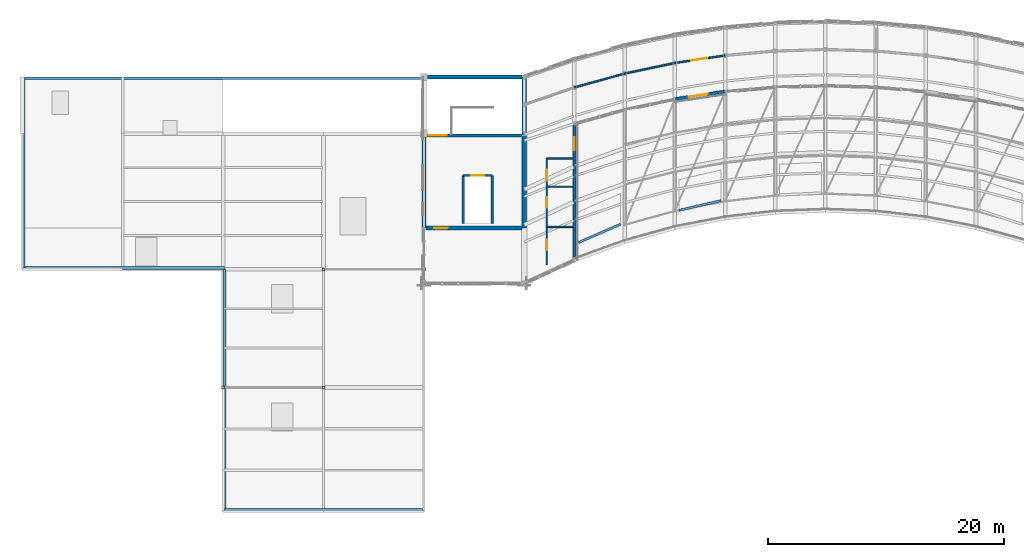
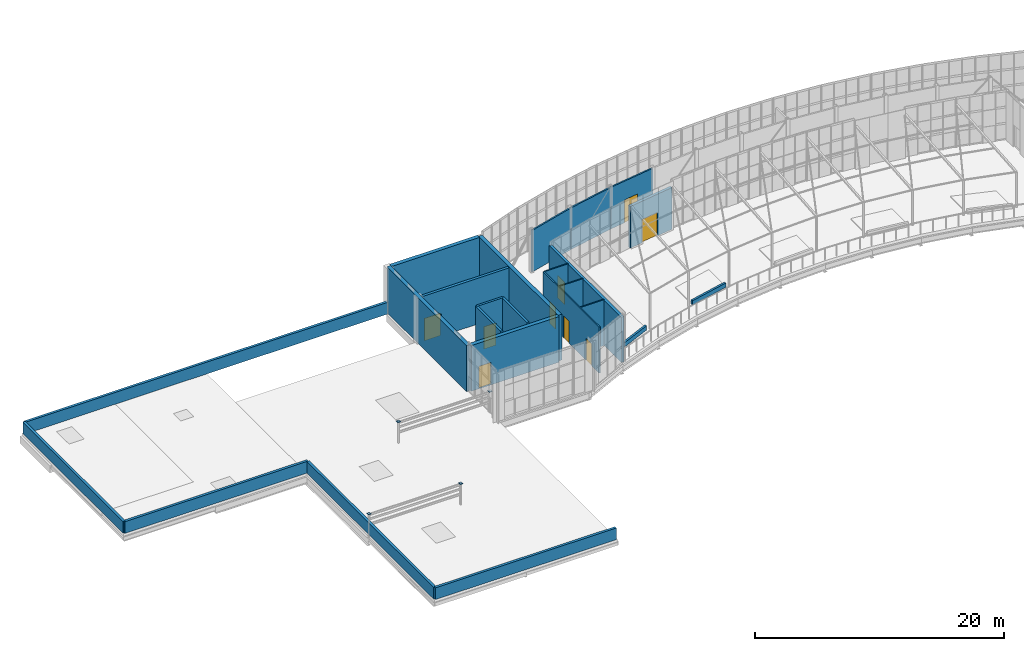
# One storey, part 31 of 35: 24 walls, 9 doors, 4 plates, 9 openings.
"""IFC4 building model written with IfcOpenShell, lengths in metres."""

from ifc_helpers import new_model, si_unit, direction, frame, frame_2d, origin, origin_2d, place, context, subcontext, project, spatial, rectangle, extrude, material, layer, layer_set, type_object, element, fill, save


model = new_model("IFC4")

# Units and contexts
model_context = context("Model", 3, precision=1e-05, world=origin(), true_north=direction((0.0, 1.0)))
body_context = subcontext(model_context, "Body", "Model", "MODEL_VIEW")
ifc_project = project(units=[si_unit("LENGTHUNIT", "METRE"), si_unit("AREAUNIT", "SQUARE_METRE"), si_unit("VOLUMEUNIT", "CUBIC_METRE"), si_unit("PLANEANGLEUNIT", "RADIAN"), si_unit("MASSUNIT", "GRAM", prefix="KILO")], contexts=[model_context])

# Site, building, storey
site_placement = place(None, origin())
site = spatial("IfcSite", under=ifc_project, at=site_placement, CompositionType="ELEMENT")
building_placement = place(site_placement, origin())
building = spatial("IfcBuilding", under=site, at=building_placement, Name="Solvikara Media Centre", CompositionType="ELEMENT")
storey_placement = place(building_placement, frame((0.0, 0.0, 29.39990234375)))
storey = spatial("IfcBuildingStorey", under=building, at=storey_placement, Name="L06", CompositionType="ELEMENT", Elevation=29.39990234375)

# Plates
ifc_material_1 = material(Name="Steel S355JR", Category="steel")
ifc_layer_1 = layer(ifc_material_1, 0.01806640625)
ifc_layer_set_1 = layer_set([ifc_layer_1], Name="Steel S355JR")
plate_type = type_object("IfcPlateType", Name="PL-09", PredefinedType="USERDEFINED", material=ifc_layer_set_1)
for number, where, z_axis, x_axis, name in (
    (1, (51.0, 10.5, 2.10009765625), (0.0, 0.0, 1.0), (1.0, 0.0, 0.0), "CAP-PS-A3"),
    (2, (59.5, 10.5, 2.10009765625), (0.0, 0.0, 1.0), (1.0, 0.0, 0.0), "CAP-PS-B3"),
    (3, (59.5, 20.5, 2.10009765625), (0.0, 0.0, 1.0), (1.0, 0.0, 0.0), "CAP-PS-A4"),
    (4, (68.0, 20.5, 2.10009765625), (0.0, 0.0, 1.0), (1.0, 0.0, 0.0), "CAP-PS-B4"),
):
    element("IfcPlate", number, at=place(storey_placement, frame(where, z_axis=z_axis, x_axis=x_axis)), inside=storey, type_object=plate_type, Name=name, ObjectType="BASE PLATE", PredefinedType="USERDEFINED", context=body_context, shape_type="SweptSolid", body=[
        extrude(rectangle(XDim=0.260009765625, YDim=0.260009765625, at=origin_2d()), origin(), (0.0, 0.0, 1.0), 0.01806640625),
    ])

# Walls
ifc_material_2 = material(Name="Concrete fc' 45 MPa (C45/55)", Category="concrete")
ifc_layer_2 = layer(ifc_material_2, 0.35009765625)
ifc_layer_set_2 = layer_set([ifc_layer_2], Name="Concrete fc' 45 MPa (C45/55)")
wall_type_1 = type_object("IfcWallType", Name="WT-03", PredefinedType="SHEAR", material=ifc_layer_set_2)
for number, where, z_axis, x_axis, name in (
    (5, (68.0, 24.0, 0.0), (0.0, 0.0, 1.0), (0.0, 1.0, 0.0), "CW-C3-L06-W"),
    (6, (76.5, 24.0, 0.0), (0.0, 0.0, 1.0), (0.0, 1.0, 0.0), "CW-C3-L06-E"),
):
    element("IfcWall", number, at=place(storey_placement, frame(where, z_axis=z_axis, x_axis=x_axis)), inside=storey, type_object=wall_type_1, Name=name, PredefinedType="SHEAR", context=body_context, shape_type="SweptSolid", body=[
        extrude(rectangle(XDim=12.800048828125, YDim=0.35009765625, at=frame_2d((6.39990234375, 0.0))), origin(), (0.0, 0.0, 1.0), 4.489990234375),
    ])
wall_1_placement = place(storey_placement, frame((68.175048828125, 36.800048828125, 0.0), z_axis=(0.0, 0.0, 1.0), x_axis=(1.0, 0.0, 0.0)))
element("IfcWall", 7, at=wall_1_placement, inside=storey, type_object=wall_type_1, Name="CW-C3-L06-N", PredefinedType="SHEAR", context=body_context, shape_type="SweptSolid", body=[
    extrude(rectangle(XDim=8.14990234375, YDim=0.35009765625, at=frame_2d((4.074951171875, 0.0))), origin(), (0.0, 0.0, 1.0), 4.489990234375),
])

# Wall, opening, door
wall_2_placement = place(storey_placement, frame((68.175048828125, 24.0, 0.0), z_axis=(0.0, 0.0, 1.0), x_axis=(1.0, 0.0, 0.0)))
wall_2 = element("IfcWall", 8, at=wall_2_placement, inside=storey, type_object=wall_type_1, Name="CW-C3-L06-S", PredefinedType="SHEAR", context=body_context, shape_type="SweptSolid", body=[
    extrude(rectangle(XDim=8.14990234375, YDim=0.35009765625, at=frame_2d((4.074951171875, 0.0))), origin(), (0.0, 0.0, 1.0), 4.489990234375),
])
opening_1_placement = place(wall_2_placement, frame((0.699951171875, 0.0, 0.0)))
opening_1 = element("IfcOpeningElement", 9, at=opening_1_placement, cuts=wall_2, Name="Opening D-C3-L06-LOB", PredefinedType="OPENING", context=body_context, shape_type="SweptSolid", body=[
    extrude(rectangle(XDim=1.14990234375, YDim=2.199951171875, at=frame_2d((0.574951171875, 1.10009765625))), frame((0.0, 0.18701171875, 0.0), z_axis=(0.0, -1.0, 0.0), x_axis=(1.0, 0.0, 0.0)), (0.0, 0.0, 1.0), 0.3740234375),
])
ifc_material_3 = material(Name="Insulated fire-rated steel door leaf", Category="steel")
door_type_1 = type_object("IfcDoorType", Name="DT-09", OperationType="NOTDEFINED", PredefinedType="DOOR", material=ifc_material_3)
door_1_placement = place(opening_1_placement, frame((1.14990234375, 0.0, 0.0), z_axis=(0.0, 0.0, 1.0), x_axis=(-1.0, 0.0, 0.0)))
door_1 = element("IfcDoor", 10, at=door_1_placement, inside=storey, type_object=door_type_1, Name="D-C3-L06-LOB", OperationType="SINGLE_SWING_RIGHT", OverallHeight=2.199951171875, OverallWidth=1.14990234375, PredefinedType="DOOR", context=body_context, shape_type="SweptSolid", body=[
    extrude(rectangle(XDim=1.14990234375, YDim=2.199951171875, at=frame_2d((0.574951171875, 1.10009765625))), frame((0.0, 0.02490234375, 0.0), z_axis=(0.0, -1.0, 0.0), x_axis=(1.0, 0.0, 0.0)), (0.0, 0.0, 1.0), 0.050048828125),
])
fill(opening_1, door_1)

ifc_layer_3 = layer(ifc_material_2, 0.25)
ifc_layer_set_3 = layer_set([ifc_layer_3], Name="Concrete fc' 45 MPa (C45/55)")
wall_type_2 = type_object("IfcWallType", Name="WT-07", PredefinedType="STANDARD", material=ifc_layer_set_3)
wall_3_placement = place(storey_placement, frame((68.25, 31.85009765625, 0.0), z_axis=(0.0, 0.0, 1.0), x_axis=(1.0, 0.0, 0.0)))
wall_3 = element("IfcWall", 11, at=wall_3_placement, inside=storey, type_object=wall_type_2, Name="CW-C3-L06-SD", PredefinedType="STANDARD", context=body_context, shape_type="SweptSolid", body=[
    extrude(rectangle(XDim=8.0, YDim=0.25, at=frame_2d((4.0, 0.0))), origin(), (0.0, 0.0, 1.0), 4.489990234375),
])
opening_2_placement = place(wall_3_placement, frame((0.199951171875, 0.0, 0.0)))
opening_2 = element("IfcOpeningElement", 12, at=opening_2_placement, cuts=wall_3, Name="Opening D-C3-L06-ST", PredefinedType="OPENING", context=body_context, shape_type="SweptSolid", body=[
    extrude(rectangle(XDim=1.5, YDim=2.199951171875, at=frame_2d((0.75, 1.10009765625))), frame((0.0, 0.136962890625, 0.0), z_axis=(0.0, -1.0, 0.0), x_axis=(1.0, 0.0, 0.0)), (0.0, 0.0, 1.0), 0.27392578125),
])
door_type_2 = type_object("IfcDoorType", Name="DT-08", OperationType="DOUBLE_DOOR_SINGLE_SWING", PredefinedType="DOOR", material=ifc_material_3)
door_2_placement = place(opening_2_placement, frame((1.5, 0.0, 0.0), z_axis=(0.0, 0.0, 1.0), x_axis=(-1.0, 0.0, 0.0)))
door_2 = element("IfcDoor", 13, at=door_2_placement, inside=storey, type_object=door_type_2, Name="D-C3-L06-ST", OperationType="DOUBLE_DOOR_SINGLE_SWING", OverallHeight=2.199951171875, OverallWidth=1.5, PredefinedType="DOOR", context=body_context, shape_type="SweptSolid", body=[
    extrude(rectangle(XDim=1.5, YDim=2.199951171875, at=frame_2d((0.75, 1.10009765625))), frame((0.0, 0.02490234375, 0.0), z_axis=(0.0, -1.0, 0.0), x_axis=(1.0, 0.0, 0.0)), (0.0, 0.0, 1.0), 0.050048828125),
])
fill(opening_2, door_2)

ifc_material_4 = material(Name="Precast concrete fc' 40 MPa (C40/50)", Category="concrete")
ifc_layer_4 = layer(ifc_material_4, 0.260009765625)
ifc_layer_set_4 = layer_set([ifc_layer_4], Name="Precast concrete fc' 40 MPa (C40/50)")
wall_type_3 = type_object("IfcWallType", Name="WT-12", PredefinedType="STANDARD", material=ifc_layer_set_4)
wall_4_placement = place(storey_placement, frame((89.25, 34.928955078125, 0.0), z_axis=(0.0, 0.0, 1.0), x_axis=(0.989021203369, 0.147773675894, 0.0)))
wall_4 = element("IfcWall", 14, at=wall_4_placement, inside=storey, type_object=wall_type_3, Name="EW-L06-GAL-S03", PredefinedType="STANDARD", context=body_context, shape_type="SweptSolid", body=[
    extrude(rectangle(XDim=4.297119140625, YDim=0.260009765625, at=frame_2d((2.1484375, 0.0))), origin(), (0.0, 0.0, 1.0), 4.08203125),
])
opening_3_placement = place(wall_4_placement, frame((1.199951171875, 0.0, 0.0)))
opening_3 = element("IfcOpeningElement", 15, at=opening_3_placement, cuts=wall_4, Name="Opening TD-L06-TER-03", PredefinedType="OPENING", context=body_context, shape_type="SweptSolid", body=[
    extrude(rectangle(XDim=1.60009765625, YDim=2.300048828125, at=frame_2d((0.800048828125, 1.14990234375))), frame((0.0, 0.14208984375, 0.0), z_axis=(0.0, -1.0, 0.0), x_axis=(1.0, 0.0, 0.0)), (0.0, 0.0, 1.0), 0.283935546875),
])
ifc_material_5 = material(Name="Anodised aluminium EN AW-6063", Category="aluminium")
door_type_3 = type_object("IfcDoorType", Name="DT-04", OperationType="DOUBLE_DOOR_SINGLE_SWING", PredefinedType="DOOR", material=ifc_material_5)
door_3_placement = place(opening_3_placement, frame((1.60009765625, 0.0, 0.0), z_axis=(0.0, 0.0, 1.0), x_axis=(-1.0, 0.0, 0.0)))
door_3 = element("IfcDoor", 16, at=door_3_placement, inside=storey, type_object=door_type_3, Name="TD-L06-TER-03", OperationType="DOUBLE_DOOR_SINGLE_SWING", OverallHeight=2.300048828125, OverallWidth=1.60009765625, PredefinedType="DOOR", context=body_context, shape_type="SweptSolid", body=[
    extrude(rectangle(XDim=1.60009765625, YDim=2.300048828125, at=frame_2d((0.800048828125, 1.14990234375))), frame((0.0, 0.02490234375, 0.0), z_axis=(0.0, -1.0, 0.0), x_axis=(1.0, 0.0, 0.0)), (0.0, 0.0, 1.0), 0.050048828125),
])
fill(opening_3, door_3)

wall_5_placement = place(storey_placement, frame((80.75, 21.279052734375, 0.0), z_axis=(0.0, 0.0, 1.0), x_axis=(0.0, 1.0, 0.0)))
wall_5 = element("IfcWall", 17, at=wall_5_placement, inside=storey, type_object=wall_type_3, Name="EW-L06-PAVW-E", PredefinedType="STANDARD", context=body_context, shape_type="SweptSolid", body=[
    extrude(rectangle(XDim=11.5810546875, YDim=0.260009765625, at=frame_2d((5.79052734375, 0.0))), origin(), (0.0, 0.0, 1.0), 4.4501953125),
])
opening_4_placement = place(wall_5_placement, frame((9.300048828125, 0.0, 0.0)))
opening_4 = element("IfcOpeningElement", 18, at=opening_4_placement, cuts=wall_5, Name="Opening TD-L06-PAVW", PredefinedType="OPENING", context=body_context, shape_type="SweptSolid", body=[
    extrude(rectangle(XDim=1.10009765625, YDim=2.199951171875, at=frame_2d((0.550048828125, 1.10009765625))), frame((0.0, 0.14208984375, 0.0), z_axis=(0.0, -1.0, 0.0), x_axis=(1.0, 0.0, 0.0)), (0.0, 0.0, 1.0), 0.283935546875),
])
door_type_4 = type_object("IfcDoorType", Name="DT-05", OperationType="NOTDEFINED", PredefinedType="DOOR", material=ifc_material_5)
door_4_placement = place(opening_4_placement, frame((1.10009765625, 0.0, 0.0), z_axis=(0.0, 0.0, 1.0), x_axis=(-1.0, 0.0, 0.0)))
door_4 = element("IfcDoor", 19, at=door_4_placement, inside=storey, type_object=door_type_4, Name="TD-L06-PAVW", OperationType="SINGLE_SWING_LEFT", OverallHeight=2.199951171875, OverallWidth=1.10009765625, PredefinedType="DOOR", context=body_context, shape_type="SweptSolid", body=[
    extrude(rectangle(XDim=1.10009765625, YDim=2.199951171875, at=frame_2d((0.550048828125, 1.10009765625))), frame((0.0, 0.02490234375, 0.0), z_axis=(0.0, -1.0, 0.0), x_axis=(1.0, 0.0, 0.0)), (0.0, 0.0, 1.0), 0.050048828125),
])
fill(opening_4, door_4)

# Walls
ifc_layer_5 = layer(ifc_material_4, 0.22998046875)
ifc_layer_set_5 = layer_set([ifc_layer_5], Name="Precast concrete fc' 40 MPa (C40/50)")
wall_type_4 = type_object("IfcWallType", Name="WT-14", PredefinedType="PARAPET", material=ifc_layer_set_5)
wall_6_placement = place(storey_placement, frame((51.1201171875, 0.1201171875, 0.0), z_axis=(0.0, 0.0, 1.0), x_axis=(1.0, 0.0, 0.0)))
element("IfcWall", 20, at=wall_6_placement, inside=storey, type_object=wall_type_4, Name="PRP-L06-05", PredefinedType="PARAPET", context=body_context, shape_type="SweptSolid", body=[
    extrude(rectangle(XDim=16.759765625, YDim=0.22998046875, at=frame_2d((8.3798828125, 0.0))), origin(), (0.0, 0.0, 1.0), 1.150146484375),
])
wall_7_placement = place(storey_placement, frame((51.1201171875, 0.1201171875, 0.0), z_axis=(0.0, 0.0, 1.0), x_axis=(0.0, 1.0, 0.0)))
element("IfcWall", 21, at=wall_7_placement, inside=storey, type_object=wall_type_4, Name="PRP-L06-06", PredefinedType="PARAPET", context=body_context, shape_type="SweptSolid", body=[
    extrude(rectangle(XDim=20.3798828125, YDim=0.22998046875, at=frame_2d((10.18994140625, 0.0))), origin(), (0.0, 0.0, 1.0), 1.150146484375),
])
wall_8_placement = place(storey_placement, frame((34.1201171875, 20.6201171875, 0.0), z_axis=(0.0, 0.0, 1.0), x_axis=(1.0, 0.0, 0.0)))
element("IfcWall", 22, at=wall_8_placement, inside=storey, type_object=wall_type_4, Name="PRP-L06-07", PredefinedType="PARAPET", context=body_context, shape_type="SweptSolid", body=[
    extrude(rectangle(XDim=17.0, YDim=0.22998046875, at=frame_2d((8.5, 0.0))), origin(), (0.0, 0.0, 1.0), 1.150146484375),
])
wall_9_placement = place(storey_placement, frame((34.1201171875, 20.6201171875, 0.0), z_axis=(0.0, 0.0, 1.0), x_axis=(0.0, 1.0, 0.0)))
element("IfcWall", 23, at=wall_9_placement, inside=storey, type_object=wall_type_4, Name="PRP-L06-08", PredefinedType="PARAPET", context=body_context, shape_type="SweptSolid", body=[
    extrude(rectangle(XDim=16.059814453125, YDim=0.22998046875, at=frame_2d((8.02978515625, 0.0))), origin(), (0.0, 0.0, 1.0), 1.150146484375),
])
wall_10_placement = place(storey_placement, frame((34.1201171875, 36.679931640625, 0.0), z_axis=(0.0, 0.0, 1.0), x_axis=(1.0, 0.0, 0.0)))
element("IfcWall", 24, at=wall_10_placement, inside=storey, type_object=wall_type_4, Name="PRP-L06-09", PredefinedType="PARAPET", context=body_context, shape_type="SweptSolid", body=[
    extrude(rectangle(XDim=33.759765625, YDim=0.22998046875, at=frame_2d((16.8798828125, 0.0))), origin(), (0.0, 0.0, 1.0), 1.150146484375),
])
ifc_layer_6 = layer(ifc_material_4, 0.18994140625)
ifc_layer_set_6 = layer_set([ifc_layer_6], Name="Precast concrete fc' 40 MPa (C40/50)")
wall_type_5 = type_object("IfcWallType", Name="WT-15", PredefinedType="PARAPET", material=ifc_layer_set_6)
wall_11_placement = place(storey_placement, frame((81.10009765625, 22.779052734375, 0.0), z_axis=(0.0, 0.0, 1.0), x_axis=(0.916925624611, 0.399058139789, 0.0)))
element("IfcWall", 25, at=wall_11_placement, inside=storey, type_object=wall_type_5, Name="KRB-L06-02", PredefinedType="PARAPET", context=body_context, shape_type="SweptSolid", body=[
    extrude(rectangle(XDim=3.871337890625, YDim=0.18994140625, at=frame_2d((1.935546875, 0.0))), origin(), (0.0, 0.0, 1.0), 0.420166015625),
])
wall_12_placement = place(storey_placement, frame((89.60009765625, 25.49609375, 0.0), z_axis=(0.0, 0.0, 1.0), x_axis=(0.974220397217, 0.225598354706, 0.0)))
element("IfcWall", 26, at=wall_12_placement, inside=storey, type_object=wall_type_5, Name="KRB-L06-04", PredefinedType="PARAPET", context=body_context, shape_type="SweptSolid", body=[
    extrude(rectangle(XDim=3.643798828125, YDim=0.18994140625, at=frame_2d((1.82177734375, 0.0))), origin(), (0.0, 0.0, 1.0), 0.420166015625),
])
ifc_material_6 = material(Name="Fire-rated gypsum and mineral-wool shaft wall assembly")
ifc_layer_7 = layer(ifc_material_6, 0.2099609375)
ifc_layer_set_7 = layer_set([ifc_layer_7], Name="Fire-rated gypsum and mineral-wool shaft wall assembly")
wall_type_6 = type_object("IfcWallType", Name="WT-17", PredefinedType="PARTITIONING", material=ifc_layer_set_7)
for number, where, z_axis, x_axis, name in (
    (27, (71.330078125, 24.39990234375, 0.0), (0.0, 0.0, 1.0), (0.0, 1.0, 0.0), "LW-LF-FF2-L06-W"),
    (28, (73.77001953125, 24.39990234375, 0.0), (0.0, 0.0, 1.0), (0.0, 1.0, 0.0), "LW-LF-FF2-L06-E"),
):
    element("IfcWall", number, at=place(storey_placement, frame(where, z_axis=z_axis, x_axis=x_axis)), inside=storey, type_object=wall_type_6, Name=name, PredefinedType="PARTITIONING", context=body_context, shape_type="SweptSolid", body=[
        extrude(rectangle(XDim=4.050048828125, YDim=0.2099609375, at=frame_2d((2.02490234375, 0.0))), origin(), (0.0, 0.0, 1.0), 4.489990234375),
    ])

# Wall, opening, door
wall_13_placement = place(storey_placement, frame((71.330078125, 28.449951171875, 0.0), z_axis=(0.0, 0.0, 1.0), x_axis=(1.0, 0.0, 0.0)))
wall_13 = element("IfcWall", 29, at=wall_13_placement, inside=storey, type_object=wall_type_6, Name="LW-LF-FF2-L06-N", PredefinedType="PARTITIONING", context=body_context, shape_type="SweptSolid", body=[
    extrude(rectangle(XDim=2.43994140625, YDim=0.2099609375, at=frame_2d((1.219970703125, 0.0))), origin(), (0.0, 0.0, 1.0), 4.489990234375),
])
opening_5_placement = place(wall_13_placement, frame((0.669921875, 0.0, 0.0)))
opening_5 = element("IfcOpeningElement", 30, at=opening_5_placement, cuts=wall_13, Name="Opening LD-LF-FF2-L06", PredefinedType="OPENING", context=body_context, shape_type="SweptSolid", body=[
    extrude(rectangle(XDim=1.10009765625, YDim=2.199951171875, at=frame_2d((0.550048828125, 1.10009765625))), frame((0.0, 0.116943359375, 0.0), z_axis=(0.0, -1.0, 0.0), x_axis=(1.0, 0.0, 0.0)), (0.0, 0.0, 1.0), 0.23388671875),
])
door_type_5 = type_object("IfcDoorType", Name="LD-01", OperationType="DOUBLE_DOOR_SLIDING", PredefinedType="DOOR", material=ifc_material_3)
door_5_placement = place(opening_5_placement, origin())
door_5 = element("IfcDoor", 31, at=door_5_placement, inside=storey, type_object=door_type_5, Name="LD-LF-FF2-L06", OperationType="DOUBLE_DOOR_SLIDING", OverallHeight=2.199951171875, OverallWidth=1.10009765625, PredefinedType="DOOR", context=body_context, shape_type="SweptSolid", body=[
    extrude(rectangle(XDim=1.10009765625, YDim=2.199951171875, at=frame_2d((0.550048828125, 1.10009765625))), frame((0.0, 0.02490234375, 0.0), z_axis=(0.0, -1.0, 0.0), x_axis=(1.0, 0.0, 0.0)), (0.0, 0.0, 1.0), 0.050048828125),
])
fill(opening_5, door_5)

# Walls
ifc_material_7 = material(Name="Double-stud acoustic gypsum partition assembly")
ifc_layer_8 = layer(ifc_material_7, 0.139892578125)
ifc_layer_set_8 = layer_set([ifc_layer_8], Name="Double-stud acoustic gypsum partition assembly")
wall_type_7 = type_object("IfcWallType", Name="WT-20", PredefinedType="PARTITIONING", material=ifc_layer_set_8)
wall_14_placement = place(storey_placement, frame((80.75, 35.909912109375, 0.0), z_axis=(0.0, 0.0, 1.0), x_axis=(0.964066503431, 0.265661018897, 0.0)))
element("IfcWall", 32, at=wall_14_placement, inside=storey, type_object=wall_type_7, Name="PW-L06-173", PredefinedType="PARTITIONING", context=body_context, shape_type="SweptSolid", body=[
    extrude(rectangle(XDim=4.408447265625, YDim=0.139892578125, at=frame_2d((2.2041015625, 0.0))), origin(), (0.0, 0.0, 1.0), 4.08203125),
])
wall_15_placement = place(storey_placement, frame((85.0, 37.0810546875, 0.0), z_axis=(0.0, 0.0, 1.0), x_axis=(0.978400446345, 0.206718568569, 0.0)))
element("IfcWall", 33, at=wall_15_placement, inside=storey, type_object=wall_type_7, Name="PW-L06-174", PredefinedType="PARTITIONING", context=body_context, shape_type="SweptSolid", body=[
    extrude(rectangle(XDim=4.34375, YDim=0.139892578125, at=frame_2d((2.171875, 0.0))), origin(), (0.0, 0.0, 1.0), 4.08203125),
])

# Wall, opening, door
wall_16_placement = place(storey_placement, frame((89.25, 37.97900390625, 0.0), z_axis=(0.0, 0.0, 1.0), x_axis=(0.989021203369, 0.147773675894, 0.0)))
wall_16 = element("IfcWall", 34, at=wall_16_placement, inside=storey, type_object=wall_type_7, Name="PW-L06-175", PredefinedType="PARTITIONING", context=body_context, shape_type="SweptSolid", body=[
    extrude(rectangle(XDim=4.297119140625, YDim=0.139892578125, at=frame_2d((2.1484375, 0.0))), origin(), (0.0, 0.0, 1.0), 4.08203125),
])
opening_6_placement = place(wall_16_placement, frame((1.39990234375, 0.0, 0.0)))
opening_6 = element("IfcOpeningElement", 35, at=opening_6_placement, cuts=wall_16, Name="Opening D-L06-175-1", PredefinedType="OPENING", context=body_context, shape_type="SweptSolid", body=[
    extrude(rectangle(XDim=1.35009765625, YDim=2.25, at=frame_2d((0.675048828125, 1.125))), frame((0.0, 0.08203125, 0.0), z_axis=(0.0, -1.0, 0.0), x_axis=(1.0, 0.0, 0.0)), (0.0, 0.0, 1.0), 0.163818359375),
])
door_type_6 = type_object("IfcDoorType", Name="DT-20", OperationType="DOUBLE_DOOR_SINGLE_SWING", PredefinedType="DOOR", material=ifc_material_5)
door_6_placement = place(opening_6_placement, origin())
door_6 = element("IfcDoor", 36, at=door_6_placement, inside=storey, type_object=door_type_6, Name="D-L06-175-1", OperationType="DOUBLE_DOOR_SINGLE_SWING", OverallHeight=2.25, OverallWidth=1.35009765625, PredefinedType="DOOR", context=body_context, shape_type="SweptSolid", body=[
    extrude(rectangle(XDim=1.35009765625, YDim=2.25, at=frame_2d((0.675048828125, 1.125))), frame((0.0, 0.02490234375, 0.0), z_axis=(0.0, -1.0, 0.0), x_axis=(1.0, 0.0, 0.0)), (0.0, 0.0, 1.0), 0.050048828125),
])
fill(opening_6, door_6)

# Wall, openings, doors
ifc_layer_9 = layer(ifc_material_7, 0.1201171875)
ifc_layer_set_9 = layer_set([ifc_layer_9], Name="Double-stud acoustic gypsum partition assembly")
wall_type_8 = type_object("IfcWallType", Name="WT-21", PredefinedType="PARTITIONING", material=ifc_layer_set_9)
wall_17_placement = place(storey_placement, frame((78.39990234375, 20.89990234375, 0.0), z_axis=(0.0, 0.0, 1.0), x_axis=(0.0, 1.0, 0.0)))
wall_17 = element("IfcWall", 37, at=wall_17_placement, inside=storey, type_object=wall_type_8, Name="PW-L06-169", PredefinedType="PARTITIONING", context=body_context, shape_type="SweptSolid", body=[
    extrude(rectangle(XDim=9.0, YDim=0.1201171875, at=frame_2d((4.5, 0.0))), origin(), (0.0, 0.0, 1.0), 4.5),
])
opening_7_placement = place(wall_17_placement, frame((1.199951171875, 0.0, 0.0)))
opening_7 = element("IfcOpeningElement", 38, at=opening_7_placement, cuts=wall_17, Name="Opening D-L06-169-1", PredefinedType="OPENING", context=body_context, shape_type="SweptSolid", body=[
    extrude(rectangle(XDim=0.89990234375, YDim=2.14990234375, at=frame_2d((0.449951171875, 1.074951171875))), frame((0.0, 0.072021484375, 0.0), z_axis=(0.0, -1.0, 0.0), x_axis=(1.0, 0.0, 0.0)), (0.0, 0.0, 1.0), 0.14404296875),
])
opening_8_placement = place(wall_17_placement, frame((4.800048828125, 0.0, 0.0)))
opening_8 = element("IfcOpeningElement", 39, at=opening_8_placement, cuts=wall_17, Name="Opening D-L06-169-2", PredefinedType="OPENING", context=body_context, shape_type="SweptSolid", body=[
    extrude(rectangle(XDim=0.89990234375, YDim=2.14990234375, at=frame_2d((0.449951171875, 1.074951171875))), frame((0.0, 0.072021484375, 0.0), z_axis=(0.0, -1.0, 0.0), x_axis=(1.0, 0.0, 0.0)), (0.0, 0.0, 1.0), 0.14404296875),
])
opening_9_placement = place(wall_17_placement, frame((7.10009765625, 0.0, 0.0)))
opening_9 = element("IfcOpeningElement", 40, at=opening_9_placement, cuts=wall_17, Name="Opening D-L06-169-3", PredefinedType="OPENING", context=body_context, shape_type="SweptSolid", body=[
    extrude(rectangle(XDim=0.949951171875, YDim=2.14990234375, at=frame_2d((0.47509765625, 1.074951171875))), frame((0.0, 0.072021484375, 0.0), z_axis=(0.0, -1.0, 0.0), x_axis=(1.0, 0.0, 0.0)), (0.0, 0.0, 1.0), 0.14404296875),
])
ifc_material_8 = material(Name="Solid core acoustic hardwood timber", Category="wood")
door_type_7 = type_object("IfcDoorType", Name="DT-17", OperationType="NOTDEFINED", PredefinedType="DOOR", material=ifc_material_8)
door_7_placement = place(opening_9_placement, frame((0.949951171875, 0.0, 0.0), z_axis=(0.0, 0.0, 1.0), x_axis=(-1.0, 0.0, 0.0)))
door_7 = element("IfcDoor", 41, at=door_7_placement, inside=storey, type_object=door_type_7, Name="D-L06-169-3", OperationType="SINGLE_SWING_LEFT", OverallHeight=2.14990234375, OverallWidth=0.949951171875, PredefinedType="DOOR", context=body_context, shape_type="SweptSolid", body=[
    extrude(rectangle(XDim=0.949951171875, YDim=2.14990234375, at=frame_2d((0.47509765625, 1.074951171875))), frame((0.0, 0.02490234375, 0.0), z_axis=(0.0, -1.0, 0.0), x_axis=(1.0, 0.0, 0.0)), (0.0, 0.0, 1.0), 0.050048828125),
])
fill(opening_9, door_7)
door_type_8 = type_object("IfcDoorType", Name="DT-18", OperationType="NOTDEFINED", PredefinedType="DOOR", material=ifc_material_8)
door_8_placement = place(opening_7_placement, origin())
door_8 = element("IfcDoor", 42, at=door_8_placement, inside=storey, type_object=door_type_8, Name="D-L06-169-1", OperationType="SINGLE_SWING_LEFT", OverallHeight=2.14990234375, OverallWidth=0.89990234375, PredefinedType="DOOR", context=body_context, shape_type="SweptSolid", body=[
    extrude(rectangle(XDim=0.89990234375, YDim=2.14990234375, at=frame_2d((0.449951171875, 1.074951171875))), frame((0.0, 0.02490234375, 0.0), z_axis=(0.0, -1.0, 0.0), x_axis=(1.0, 0.0, 0.0)), (0.0, 0.0, 1.0), 0.050048828125),
])
fill(opening_7, door_8)
door_9_placement = place(opening_8_placement, origin())
door_9 = element("IfcDoor", 43, at=door_9_placement, inside=storey, type_object=door_type_8, Name="D-L06-169-2", OperationType="SINGLE_SWING_RIGHT", OverallHeight=2.14990234375, OverallWidth=0.89990234375, PredefinedType="DOOR", context=body_context, shape_type="SweptSolid", body=[
    extrude(rectangle(XDim=0.89990234375, YDim=2.14990234375, at=frame_2d((0.449951171875, 1.074951171875))), frame((0.0, 0.02490234375, 0.0), z_axis=(0.0, -1.0, 0.0), x_axis=(1.0, 0.0, 0.0)), (0.0, 0.0, 1.0), 0.050048828125),
])
fill(opening_8, door_9)

# Walls
for number, where, z_axis, x_axis, name in (
    (44, (78.449951171875, 24.10009765625, 0.0), (0.0, 0.0, 1.0), (1.0, 0.0, 0.0), "PW-L06-170"),
    (45, (78.449951171875, 27.5, 0.0), (0.0, 0.0, 1.0), (1.0, 0.0, 0.0), "PW-L06-171"),
    (46, (78.449951171875, 29.89990234375, 0.0), (0.0, 0.0, 1.0), (1.0, 0.0, 0.0), "PW-L06-172"),
):
    element("IfcWall", number, at=place(storey_placement, frame(where, z_axis=z_axis, x_axis=x_axis)), inside=storey, type_object=wall_type_8, Name=name, PredefinedType="PARTITIONING", context=body_context, shape_type="SweptSolid", body=[
        extrude(rectangle(XDim=2.199951171875, YDim=0.1201171875, at=frame_2d((1.10009765625, 0.0))), origin(), (0.0, 0.0, 1.0), 4.5),
    ])

save(model, "model.ifc")
